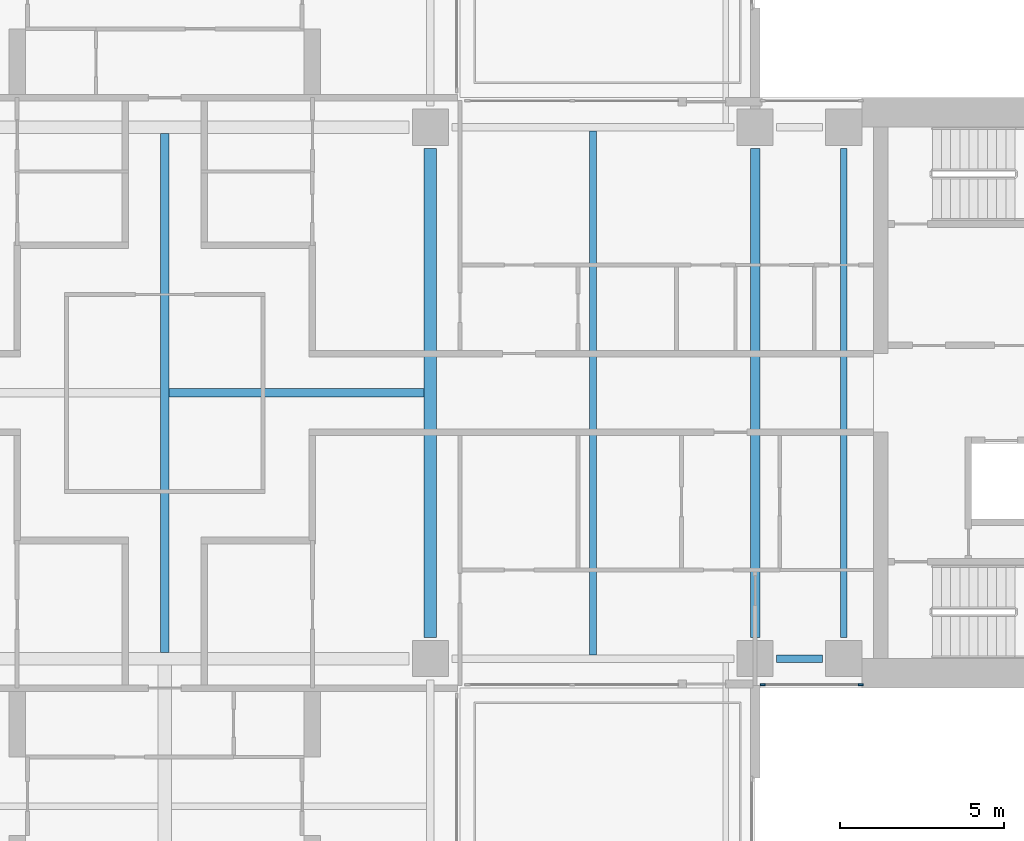
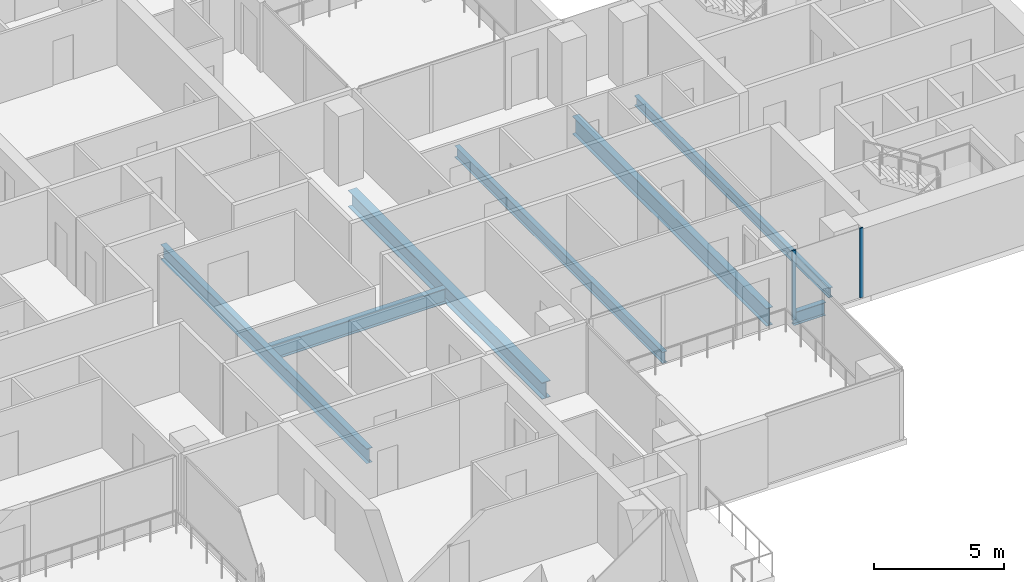
# One storey, part 4 of 20: 7 beams, 2 members, 1 element without a shape of its own.
"""IFC4 building model written with IfcOpenShell, lengths in metres."""

import ifcopenshell
import ifcopenshell.guid

model = None  # the IFC model being written
_history = None  # IfcOwnerHistory: only IFC2X3 demands one
_inside = {}  # id of a spatial element -> (the spatial element, [elements in it])
_under = {}  # id of a project, library or spatial element -> (it, [spatial elements below it])
_declared = {}  # id of a project -> (the project, [libraries it declares])
_typed = {}  # id of a type object -> (the type object, [elements of that type])
_made_of = {}  # id of a material, layer set ... -> (it, [elements and type objects made of it])


def new_model(schema):
    """Start an empty IFC model of exactly this schema.

    Asked for "IFC4X3", IfcOpenShell would pick the latest addendum, in which some entities
    have other attributes; the version numbers below select the first issue.
    IFC2X3 requires an IfcOwnerHistory on every rooted entity: one is made here for all.
    """
    global model, _history
    if schema == "IFC4X3":
        model = ifcopenshell.file(schema_version=(4, 3, 0, 0))
    else:
        model = ifcopenshell.file(schema=schema)
    _inside.clear()
    _under.clear()
    _declared.clear()
    _typed.clear()
    _made_of.clear()
    _history = None
    if model.schema == "IFC2X3":
        org = make("IfcOrganization", Name="unknown")
        user = make(
            "IfcPersonAndOrganization",
            ThePerson=make("IfcPerson", FamilyName="unknown"),
            TheOrganization=org,
        )
        app = make(
            "IfcApplication",
            ApplicationDeveloper=org,
            Version="unknown",
            ApplicationFullName="unknown",
            ApplicationIdentifier="unknown",
        )
        _history = make(
            "IfcOwnerHistory",
            OwningUser=user,
            OwningApplication=app,
            ChangeAction="ADDED",
            CreationDate=0,
        )
    return model


def make(cls, **values):
    """One entity of the class cls with the attributes given. An attribute that is None is left unset."""
    return model.create_entity(
        cls, **{name: value for name, value in values.items() if value is not None}
    )


def rooted(cls, **values):
    """An entity with a GlobalId (a new one), such as an element, a storey or a relation."""
    return make(cls, GlobalId=ifcopenshell.guid.new(), OwnerHistory=_history, **values)


def si_unit(unit_type, name, prefix=None):
    """IfcSIUnit, for example si_unit("LENGTHUNIT", "METRE", prefix="MILLI")."""
    return make("IfcSIUnit", UnitType=unit_type, Prefix=prefix, Name=name)


def assignment(units):
    """IfcUnitAssignment: the units of a project."""
    return None if units is None else make("IfcUnitAssignment", Units=units)


def point(xyz):
    """IfcCartesianPoint."""
    return None if xyz is None else make("IfcCartesianPoint", Coordinates=xyz)


def direction(xyz):
    """IfcDirection."""
    return None if xyz is None else make("IfcDirection", DirectionRatios=xyz)


def frame(location, z_axis=None, x_axis=None):
    """IfcAxis2Placement3D, a coordinate frame: its origin and axes. An axis left out is left unset."""
    return make(
        "IfcAxis2Placement3D",
        Location=point(location),
        Axis=direction(z_axis),
        RefDirection=direction(x_axis),
    )


def frame_2d(location, x_axis=None):
    """IfcAxis2Placement2D, a coordinate frame in the plane: its origin and x axis."""
    return make(
        "IfcAxis2Placement2D", Location=point(location), RefDirection=direction(x_axis)
    )


def origin():
    """The frame at (0, 0, 0) with its axes left unset."""
    return frame((0.0, 0.0, 0.0))


def origin_2d():
    """The frame at (0, 0) in the plane with its x axis left unset."""
    return frame_2d((0.0, 0.0))


def place(relative_to, where):
    """IfcLocalPlacement: puts the frame where relative to a parent placement (None: the world)."""
    return make(
        "IfcLocalPlacement", PlacementRelTo=relative_to, RelativePlacement=where
    )


def context(
    kind, dimensions, precision=None, world=None, true_north=None, identifier=None
):
    """IfcGeometricRepresentationContext, for example the 3D "Model" context."""
    return make(
        "IfcGeometricRepresentationContext",
        ContextIdentifier=identifier,
        ContextType=kind,
        CoordinateSpaceDimension=dimensions,
        Precision=precision,
        WorldCoordinateSystem=world,
        TrueNorth=true_north,
    )


def subcontext(parent, identifier, kind, view, scale=None):
    """IfcGeometricRepresentationSubContext, for example "Body" below "Model"."""
    return make(
        "IfcGeometricRepresentationSubContext",
        ContextIdentifier=identifier,
        ContextType=kind,
        ParentContext=parent,
        TargetScale=scale,
        TargetView=view,
    )


def project(units=None, contexts=None):
    """IfcProject with its units and contexts."""
    return rooted(
        "IfcProject",
        Name="project",
        RepresentationContexts=contexts,
        UnitsInContext=assignment(units),
    )


def spatial(cls, under=None, at=None, **own):
    """A site, building, storey or space (cls), placed at a placement, below another one or the project."""
    s = rooted(cls, ObjectPlacement=at, **own)
    if under is not None:
        _under.setdefault(under.id(), (under, []))[1].append(s)
    return s


def profile(cls, at=None, kind="AREA", **sizes):
    """A parametric profile (cls). Its sizes go by their IFC names, for example OverallWidth=200.0."""
    return make(cls, ProfileType=kind, Position=at, **sizes)


def rectangle(**sizes):
    """IfcRectangleProfileDef."""
    return profile("IfcRectangleProfileDef", **sizes)


def i_section(**sizes):
    """IfcIShapeProfileDef."""
    return profile("IfcIShapeProfileDef", **sizes)


def extrude(swept, where, along, depth):
    """IfcExtrudedAreaSolid: the profile swept, set in the frame where, extruded along a direction by depth."""
    return make(
        "IfcExtrudedAreaSolid",
        SweptArea=swept,
        Position=where,
        ExtrudedDirection=direction(along),
        Depth=depth,
    )


def shape(context_of_items, identifier, shape_type, items):
    """IfcShapeRepresentation: the items that make up one representation, for example the "Body"."""
    return make(
        "IfcShapeRepresentation",
        ContextOfItems=context_of_items,
        RepresentationIdentifier=identifier,
        RepresentationType=shape_type,
        Items=items,
    )


def material(Name=None, Category=None):
    """IfcMaterial."""
    return make("IfcMaterial", Name=Name, Category=Category)


def material_profile(
    of_material, cross_section, Name=None, Category=None, Priority=None
):
    """IfcMaterialProfile: a cross section and its material."""
    return make(
        "IfcMaterialProfile",
        Name=Name,
        Material=of_material,
        Profile=cross_section,
        Priority=Priority,
        Category=Category,
    )


def profile_set(profiles, Name=None, composite=None):
    """IfcMaterialProfileSet."""
    return make(
        "IfcMaterialProfileSet",
        Name=Name,
        MaterialProfiles=profiles,
        CompositeProfile=composite,
    )


def made_of(thing, what):
    """Note that an element or type object is made of a material, layer set ...; save() writes the relation."""
    if what is not None:
        _made_of.setdefault(what.id(), (what, []))[1].append(thing)
    return thing


def type_object(cls, material=None, **own):
    """A type object (cls), such as IfcWallType, which elements share."""
    return made_of(rooted(cls, **own), material)


def element(
    cls,
    number,
    at=None,
    inside=None,
    cuts=None,
    type_object=None,
    material=None,
    context=None,
    identifier="Body",
    shape_type=None,
    held_by="IfcProductDefinitionShape",
    body=None,
    shapes=None,
    **own,
):
    """One element of the class cls, such as IfcWall. Its Tag is "e" and its number.

    at: its placement. inside: the storey or other place that contains it. cuts: it is an
    opening in that element (IfcRelVoidsElement). A single representation is given by context,
    identifier, shape_type and body (its items); several are given by shapes. held_by: the class
    of the entity that holds the representations. save() writes the other relations.
    """
    e = rooted(cls, Tag="e%d" % number, ObjectPlacement=at, **own)
    if body is not None:
        shapes = [shape(context, identifier, shape_type, body)]
    if shapes is not None:
        e.Representation = make(held_by, Representations=shapes)
    if inside is not None:
        _inside.setdefault(inside.id(), (inside, []))[1].append(e)
    if cuts is not None:
        rooted(
            "IfcRelVoidsElement", RelatingBuildingElement=cuts, RelatedOpeningElement=e
        )
    if type_object is not None:
        _typed.setdefault(type_object.id(), (type_object, []))[1].append(e)
    return made_of(e, material)


def aggregate(whole, parts):
    """IfcRelAggregates: a whole, such as a stair, and the parts it consists of."""
    return rooted("IfcRelAggregates", RelatingObject=whole, RelatedObjects=parts)


def save(model, path):
    """Write the relations noted so far, then the file.

    IfcRelAggregates (storeys below a building ...), IfcRelContainedInSpatialStructure (elements
    in a storey), IfcRelDefinesByType, IfcRelAssociatesMaterial and IfcRelDeclares: one each for
    every whole, place, type object, material and project.
    """
    for whole, parts in _under.values():
        aggregate(whole, parts)
    for where, things in _inside.values():
        rooted(
            "IfcRelContainedInSpatialStructure",
            RelatedElements=things,
            RelatingStructure=where,
        )
    for kind, things in _typed.values():
        rooted("IfcRelDefinesByType", RelatedObjects=things, RelatingType=kind)
    for what, things in _made_of.values():
        rooted("IfcRelAssociatesMaterial", RelatedObjects=things, RelatingMaterial=what)
    for by, libraries in _declared.values():
        rooted("IfcRelDeclares", RelatingContext=by, RelatedDefinitions=libraries)
    model.write(path)


model = new_model("IFC4")

# Units and contexts
model_context = context("Model", 3, precision=1e-05, world=origin(), true_north=direction((0.0, 1.0)))
body_context = subcontext(model_context, "Body", "Model", "MODEL_VIEW")
ifc_project = project(units=[si_unit("LENGTHUNIT", "METRE"), si_unit("AREAUNIT", "SQUARE_METRE"), si_unit("VOLUMEUNIT", "CUBIC_METRE"), si_unit("PLANEANGLEUNIT", "RADIAN"), si_unit("MASSUNIT", "GRAM", prefix="KILO")], contexts=[model_context])

# Site, building, storey
site_placement = place(None, origin())
site = spatial("IfcSite", under=ifc_project, at=site_placement, CompositionType="ELEMENT")
building_placement = place(site_placement, origin())
building = spatial("IfcBuilding", under=site, at=building_placement, Name="Perihelion Cross Residences", CompositionType="ELEMENT")
storey_placement = place(building_placement, frame((0.0, 0.0, 102.39990234375)))
storey = spatial("IfcBuildingStorey", under=building, at=storey_placement, Name="L23", CompositionType="ELEMENT", Elevation=102.39990234375)

# Curtain wall, members
ifc_material_1 = material(Name="Bronze anodised aluminium, tinted glazing", Category="aluminium")
curtain_wall_type = type_object("IfcCurtainWallType", Name="CW1", PredefinedType="NOTDEFINED", material=ifc_material_1)
curtain_wall_placement = place(storey_placement, origin())
curtain_wall = element("IfcCurtainWall", 1, at=curtain_wall_placement, inside=storey, type_object=curtain_wall_type, Name="Curtain wall CW1 L23 east side south bay 2", PredefinedType="NOTDEFINED")
ifc_material_2 = material(Name="Bronze anodised aluminium", Category="aluminium")
ifc_material_profile_1 = material_profile(ifc_material_2, rectangle(XDim=0.06005859375, YDim=0.159912109375, at=origin_2d()), Name="CW1 mullion")
ifc_profile_set_1 = profile_set([ifc_material_profile_1], Name="Bronze anodised aluminium")
member_type = type_object("IfcMemberType", Name="CW1 mullion", PredefinedType="MULLION", material=ifc_profile_set_1)
member_1_placement = place(storey_placement, frame((18.22998046875, -8.89990234375, 0.0), z_axis=(0.0, 0.0, 1.0), x_axis=(0.0, 1.0, 0.0)))
member_1 = element("IfcMember", 2, at=member_1_placement, type_object=member_type, Name="CW1 mullion 1", PredefinedType="MULLION", context=body_context, shape_type="SweptSolid", body=[
    extrude(rectangle(XDim=0.06005859375, YDim=0.159912109375, at=origin_2d()), origin(), (0.0, 0.0, 1.0), 3.25),
])
member_2_placement = place(storey_placement, frame((21.219970703125, -8.89990234375, 0.0), z_axis=(0.0, 0.0, 1.0), x_axis=(0.0, 1.0, 0.0)))
member_2 = element("IfcMember", 3, at=member_2_placement, type_object=member_type, Name="CW1 mullion 2", PredefinedType="MULLION", context=body_context, shape_type="SweptSolid", body=[
    extrude(rectangle(XDim=0.06005859375, YDim=0.159912109375, at=origin_2d()), origin(), (0.0, 0.0, 1.0), 3.25),
])
aggregate(curtain_wall, [member_1, member_2])

# Beams
ifc_material_3 = material(Name="Steel S355", Category="steel")
ifc_material_profile_2 = material_profile(ifc_material_3, i_section(OverallWidth=0.194091796875, OverallDepth=0.469970703125, WebThickness=0.0126953125, FlangeThickness=0.0205078125, at=origin_2d()), Name="W460x106")
ifc_profile_set_2 = profile_set([ifc_material_profile_2], Name="Steel S355")
beam_type_1 = type_object("IfcBeamType", Name="Core edge beam W460x106", PredefinedType="BEAM", material=ifc_profile_set_2)
beam_1_placement = place(storey_placement, frame((20.699951171875, -7.449951171875, -0.48486328125), z_axis=(0.0, 1.0, 0.0), x_axis=(-1.0, 0.0, 0.0)))
element("IfcBeam", 4, at=beam_1_placement, inside=storey, type_object=beam_type_1, Name="Core edge beam TB5 L23 no. 2", PredefinedType="BEAM", context=body_context, shape_type="SweptSolid", body=[
    extrude(i_section(OverallWidth=0.194091796875, OverallDepth=0.469970703125, WebThickness=0.0126953125, FlangeThickness=0.0205078125, at=origin_2d()), origin(), (0.0, 0.0, 1.0), 14.89990234375),
])
ifc_material_4 = material(Name="Steel S355", Category="steel")
ifc_material_profile_3 = material_profile(ifc_material_4, i_section(OverallWidth=0.22900390625, OverallDepth=0.612060546875, WebThickness=0.011962890625, FlangeThickness=0.01953125, at=origin_2d()), Name="W610x125")
ifc_profile_set_3 = profile_set([ifc_material_profile_3], Name="Steel S355")
beam_type_2 = type_object("IfcBeamType", Name="Edge beam W610x125", PredefinedType="SPANDREL", material=ifc_profile_set_3)
beam_2_placement = place(storey_placement, frame((18.64990234375, -8.10009765625, -0.555908203125), z_axis=(1.0, 0.0, 0.0), x_axis=(0.0, 1.0, 0.0)))
element("IfcBeam", 5, at=beam_2_placement, inside=storey, type_object=beam_type_2, Name="Edge beam SB3 L23 no. 9", PredefinedType="SPANDREL", context=body_context, shape_type="SweptSolid", body=[
    extrude(i_section(OverallWidth=0.22900390625, OverallDepth=0.612060546875, WebThickness=0.011962890625, FlangeThickness=0.01953125, at=origin_2d()), origin(), (0.0, 0.0, 1.0), 1.400146484375),
])
ifc_material_5 = material(Name="Steel S355", Category="steel")
ifc_material_profile_4 = material_profile(ifc_material_5, i_section(OverallWidth=0.2919921875, OverallDepth=0.8359375, WebThickness=0.013916015625, FlangeThickness=0.018798828125, at=origin_2d()), Name="W840x176")
ifc_profile_set_4 = profile_set([ifc_material_profile_4], Name="Steel S355")
beam_type_3 = type_object("IfcBeamType", Name="Floor girder W840x176", PredefinedType="BEAM", material=ifc_profile_set_4)
beam_3_placement = place(storey_placement, frame((18.0, -7.449951171875, -0.66796875), z_axis=(0.0, 1.0, 0.0), x_axis=(-1.0, 0.0, 0.0)))
element("IfcBeam", 6, at=beam_3_placement, inside=storey, type_object=beam_type_3, Name="Girder G3 L23 no. 2", PredefinedType="BEAM", context=body_context, shape_type="SweptSolid", body=[
    extrude(i_section(OverallWidth=0.2919921875, OverallDepth=0.8359375, WebThickness=0.013916015625, FlangeThickness=0.018798828125, at=origin_2d()), origin(), (0.0, 0.0, 1.0), 14.89990234375),
])
ifc_material_6 = material(Name="Steel S355", Category="steel")
ifc_material_profile_5 = material_profile(ifc_material_6, i_section(OverallWidth=0.208984375, OverallDepth=0.532958984375, WebThickness=0.01025390625, FlangeThickness=0.015625, at=origin_2d()), Name="W530x92")
ifc_profile_set_5 = profile_set([ifc_material_profile_5], Name="Steel S355")
beam_type_4 = type_object("IfcBeamType", Name="Floor joist W530x92", PredefinedType="JOIST", material=ifc_profile_set_5)
beam_4_placement = place(storey_placement, frame((13.050048828125, -7.985595703125, -0.516357421875), z_axis=(0.0, 1.0, 0.0), x_axis=(-1.0, 0.0, 0.0)))
element("IfcBeam", 7, at=beam_4_placement, inside=storey, type_object=beam_type_4, Name="Joist J4 L23 no. 2", PredefinedType="JOIST", context=body_context, shape_type="SweptSolid", body=[
    extrude(i_section(OverallWidth=0.208984375, OverallDepth=0.532958984375, WebThickness=0.01025390625, FlangeThickness=0.015625, at=origin_2d()), origin(), (0.0, 0.0, 1.0), 15.97119140625),
])
ifc_material_7 = material(Name="Steel S355", Category="steel")
ifc_material_profile_6 = material_profile(ifc_material_7, i_section(OverallWidth=0.257080078125, OverallDepth=0.693115234375, WebThickness=0.014404296875, FlangeThickness=0.023681640625, at=origin_2d()), Name="W690x170")
ifc_profile_set_6 = profile_set([ifc_material_profile_6], Name="Steel S355")
beam_type_5 = type_object("IfcBeamType", Name="Hub cross beam W690x170", PredefinedType="BEAM", material=ifc_profile_set_6)
beam_5_placement = place(storey_placement, frame((0.0, -7.909423828125, -0.596435546875), z_axis=(0.0, 1.0, 0.0), x_axis=(-1.0, 0.0, 0.0)))
element("IfcBeam", 8, at=beam_5_placement, inside=storey, type_object=beam_type_5, Name="Hub cross beam XB3 L23 no. 1", PredefinedType="BEAM", context=body_context, shape_type="SweptSolid", body=[
    extrude(i_section(OverallWidth=0.257080078125, OverallDepth=0.693115234375, WebThickness=0.014404296875, FlangeThickness=0.023681640625, at=origin_2d()), origin(), (0.0, 0.0, 1.0), 15.81884765625),
])
beam_6_placement = place(storey_placement, frame((0.12841796875, 0.0, -0.596435546875), z_axis=(1.0, 0.0, 0.0), x_axis=(0.0, 1.0, 0.0)))
element("IfcBeam", 9, at=beam_6_placement, inside=storey, type_object=beam_type_5, Name="Hub cross beam XB3 L23 2 no. 1", PredefinedType="BEAM", context=body_context, shape_type="SweptSolid", body=[
    extrude(i_section(OverallWidth=0.257080078125, OverallDepth=0.693115234375, WebThickness=0.014404296875, FlangeThickness=0.023681640625, at=origin_2d()), origin(), (0.0, 0.0, 1.0), 7.781005859375),
])
ifc_material_8 = material(Name="Steel S355", Category="steel")
ifc_material_profile_7 = material_profile(ifc_material_8, i_section(OverallWidth=0.381103515625, OverallDepth=0.77197265625, WebThickness=0.0166015625, FlangeThickness=0.027099609375, at=origin_2d()), Name="W760x257")
ifc_profile_set_7 = profile_set([ifc_material_profile_7], Name="Steel S355")
beam_type_6 = type_object("IfcBeamType", Name="Hub ring girder W760x257", PredefinedType="BEAM", material=ifc_profile_set_7)
beam_7_placement = place(storey_placement, frame((8.10009765625, -7.449951171875, -0.635986328125), z_axis=(0.0, 1.0, 0.0), x_axis=(-1.0, 0.0, 0.0)))
element("IfcBeam", 10, at=beam_7_placement, inside=storey, type_object=beam_type_6, Name="Hub ring girder RG3 L23 no. 3", PredefinedType="BEAM", context=body_context, shape_type="SweptSolid", body=[
    extrude(i_section(OverallWidth=0.381103515625, OverallDepth=0.77197265625, WebThickness=0.0166015625, FlangeThickness=0.027099609375, at=origin_2d()), origin(), (0.0, 0.0, 1.0), 14.89990234375),
])

save(model, "model.ifc")
